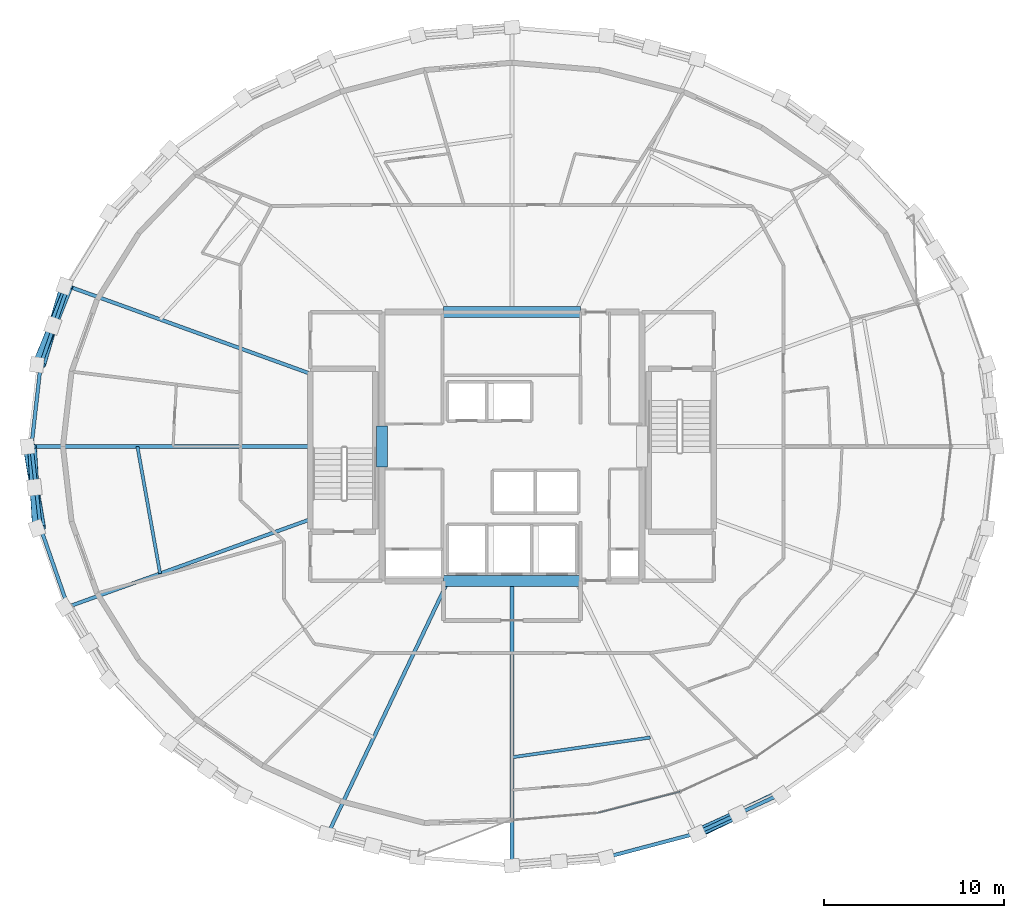
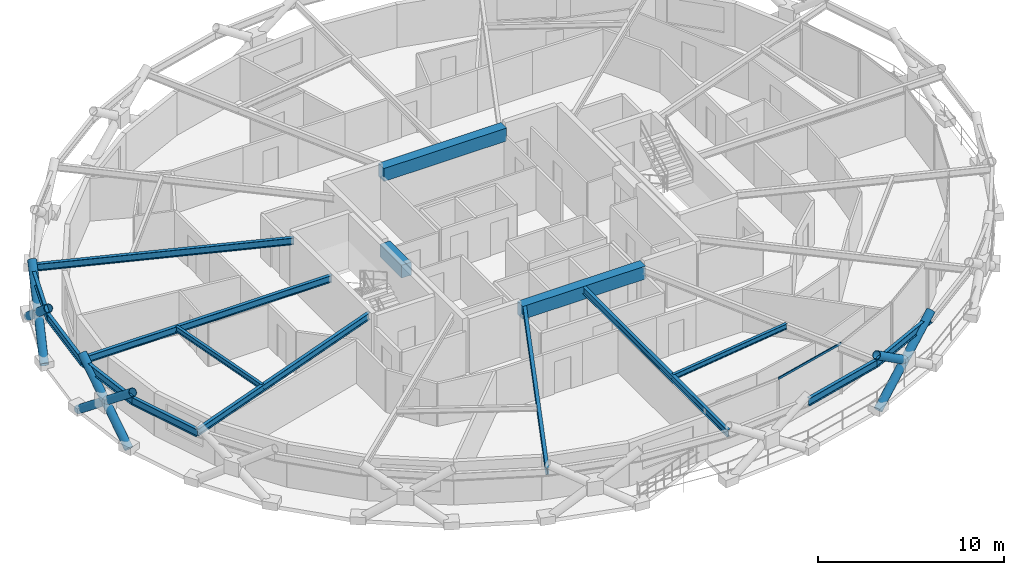
# One storey, part 3 of 16: 16 beams, 9 members, 1 element without a shape of its own.
"""IFC4 building model written with IfcOpenShell, lengths in metres."""

import ifcopenshell
import ifcopenshell.guid

model = None  # the IFC model being written
_history = None  # IfcOwnerHistory: only IFC2X3 demands one
_inside = {}  # id of a spatial element -> (the spatial element, [elements in it])
_under = {}  # id of a project, library or spatial element -> (it, [spatial elements below it])
_declared = {}  # id of a project -> (the project, [libraries it declares])
_typed = {}  # id of a type object -> (the type object, [elements of that type])
_made_of = {}  # id of a material, layer set ... -> (it, [elements and type objects made of it])


def new_model(schema):
    """Start an empty IFC model of exactly this schema.

    Asked for "IFC4X3", IfcOpenShell would pick the latest addendum, in which some entities
    have other attributes; the version numbers below select the first issue.
    IFC2X3 requires an IfcOwnerHistory on every rooted entity: one is made here for all.
    """
    global model, _history
    if schema == "IFC4X3":
        model = ifcopenshell.file(schema_version=(4, 3, 0, 0))
    else:
        model = ifcopenshell.file(schema=schema)
    _inside.clear()
    _under.clear()
    _declared.clear()
    _typed.clear()
    _made_of.clear()
    _history = None
    if model.schema == "IFC2X3":
        org = make("IfcOrganization", Name="unknown")
        user = make(
            "IfcPersonAndOrganization",
            ThePerson=make("IfcPerson", FamilyName="unknown"),
            TheOrganization=org,
        )
        app = make(
            "IfcApplication",
            ApplicationDeveloper=org,
            Version="unknown",
            ApplicationFullName="unknown",
            ApplicationIdentifier="unknown",
        )
        _history = make(
            "IfcOwnerHistory",
            OwningUser=user,
            OwningApplication=app,
            ChangeAction="ADDED",
            CreationDate=0,
        )
    return model


def make(cls, **values):
    """One entity of the class cls with the attributes given. An attribute that is None is left unset."""
    return model.create_entity(
        cls, **{name: value for name, value in values.items() if value is not None}
    )


def rooted(cls, **values):
    """An entity with a GlobalId (a new one), such as an element, a storey or a relation."""
    return make(cls, GlobalId=ifcopenshell.guid.new(), OwnerHistory=_history, **values)


def si_unit(unit_type, name, prefix=None):
    """IfcSIUnit, for example si_unit("LENGTHUNIT", "METRE", prefix="MILLI")."""
    return make("IfcSIUnit", UnitType=unit_type, Prefix=prefix, Name=name)


def assignment(units):
    """IfcUnitAssignment: the units of a project."""
    return None if units is None else make("IfcUnitAssignment", Units=units)


def point(xyz):
    """IfcCartesianPoint."""
    return None if xyz is None else make("IfcCartesianPoint", Coordinates=xyz)


def direction(xyz):
    """IfcDirection."""
    return None if xyz is None else make("IfcDirection", DirectionRatios=xyz)


def frame(location, z_axis=None, x_axis=None):
    """IfcAxis2Placement3D, a coordinate frame: its origin and axes. An axis left out is left unset."""
    return make(
        "IfcAxis2Placement3D",
        Location=point(location),
        Axis=direction(z_axis),
        RefDirection=direction(x_axis),
    )


def frame_2d(location, x_axis=None):
    """IfcAxis2Placement2D, a coordinate frame in the plane: its origin and x axis."""
    return make(
        "IfcAxis2Placement2D", Location=point(location), RefDirection=direction(x_axis)
    )


def origin():
    """The frame at (0, 0, 0) with its axes left unset."""
    return frame((0.0, 0.0, 0.0))


def origin_2d():
    """The frame at (0, 0) in the plane with its x axis left unset."""
    return frame_2d((0.0, 0.0))


def place(relative_to, where):
    """IfcLocalPlacement: puts the frame where relative to a parent placement (None: the world)."""
    return make(
        "IfcLocalPlacement", PlacementRelTo=relative_to, RelativePlacement=where
    )


def context(
    kind, dimensions, precision=None, world=None, true_north=None, identifier=None
):
    """IfcGeometricRepresentationContext, for example the 3D "Model" context."""
    return make(
        "IfcGeometricRepresentationContext",
        ContextIdentifier=identifier,
        ContextType=kind,
        CoordinateSpaceDimension=dimensions,
        Precision=precision,
        WorldCoordinateSystem=world,
        TrueNorth=true_north,
    )


def subcontext(parent, identifier, kind, view, scale=None):
    """IfcGeometricRepresentationSubContext, for example "Body" below "Model"."""
    return make(
        "IfcGeometricRepresentationSubContext",
        ContextIdentifier=identifier,
        ContextType=kind,
        ParentContext=parent,
        TargetScale=scale,
        TargetView=view,
    )


def project(units=None, contexts=None):
    """IfcProject with its units and contexts."""
    return rooted(
        "IfcProject",
        Name="project",
        RepresentationContexts=contexts,
        UnitsInContext=assignment(units),
    )


def spatial(cls, under=None, at=None, **own):
    """A site, building, storey or space (cls), placed at a placement, below another one or the project."""
    s = rooted(cls, ObjectPlacement=at, **own)
    if under is not None:
        _under.setdefault(under.id(), (under, []))[1].append(s)
    return s


def profile(cls, at=None, kind="AREA", **sizes):
    """A parametric profile (cls). Its sizes go by their IFC names, for example OverallWidth=200.0."""
    return make(cls, ProfileType=kind, Position=at, **sizes)


def rectangle(**sizes):
    """IfcRectangleProfileDef."""
    return profile("IfcRectangleProfileDef", **sizes)


def hollow_rectangle(**sizes):
    """IfcRectangleHollowProfileDef."""
    return profile("IfcRectangleHollowProfileDef", **sizes)


def hollow_circle(**sizes):
    """IfcCircleHollowProfileDef."""
    return profile("IfcCircleHollowProfileDef", **sizes)


def i_section(**sizes):
    """IfcIShapeProfileDef."""
    return profile("IfcIShapeProfileDef", **sizes)


def extrude(swept, where, along, depth):
    """IfcExtrudedAreaSolid: the profile swept, set in the frame where, extruded along a direction by depth."""
    return make(
        "IfcExtrudedAreaSolid",
        SweptArea=swept,
        Position=where,
        ExtrudedDirection=direction(along),
        Depth=depth,
    )


def shape(context_of_items, identifier, shape_type, items):
    """IfcShapeRepresentation: the items that make up one representation, for example the "Body"."""
    return make(
        "IfcShapeRepresentation",
        ContextOfItems=context_of_items,
        RepresentationIdentifier=identifier,
        RepresentationType=shape_type,
        Items=items,
    )


def material(Name=None, Category=None):
    """IfcMaterial."""
    return make("IfcMaterial", Name=Name, Category=Category)


def layer(
    of_material, thickness, ventilated=None, Name=None, Category=None, Priority=None
):
    """IfcMaterialLayer: one layer of a wall or slab, of a material (None: an air gap)."""
    return make(
        "IfcMaterialLayer",
        Material=of_material,
        LayerThickness=thickness,
        IsVentilated=ventilated,
        Name=Name,
        Category=Category,
        Priority=Priority,
    )


def layer_set(layers, Name=None):
    """IfcMaterialLayerSet."""
    return make("IfcMaterialLayerSet", MaterialLayers=layers, LayerSetName=Name)


def material_profile(
    of_material, cross_section, Name=None, Category=None, Priority=None
):
    """IfcMaterialProfile: a cross section and its material."""
    return make(
        "IfcMaterialProfile",
        Name=Name,
        Material=of_material,
        Profile=cross_section,
        Priority=Priority,
        Category=Category,
    )


def profile_set(profiles, Name=None, composite=None):
    """IfcMaterialProfileSet."""
    return make(
        "IfcMaterialProfileSet",
        Name=Name,
        MaterialProfiles=profiles,
        CompositeProfile=composite,
    )


def made_of(thing, what):
    """Note that an element or type object is made of a material, layer set ...; save() writes the relation."""
    if what is not None:
        _made_of.setdefault(what.id(), (what, []))[1].append(thing)
    return thing


def type_object(cls, material=None, **own):
    """A type object (cls), such as IfcWallType, which elements share."""
    return made_of(rooted(cls, **own), material)


def element(
    cls,
    number,
    at=None,
    inside=None,
    cuts=None,
    type_object=None,
    material=None,
    context=None,
    identifier="Body",
    shape_type=None,
    held_by="IfcProductDefinitionShape",
    body=None,
    shapes=None,
    **own,
):
    """One element of the class cls, such as IfcWall. Its Tag is "e" and its number.

    at: its placement. inside: the storey or other place that contains it. cuts: it is an
    opening in that element (IfcRelVoidsElement). A single representation is given by context,
    identifier, shape_type and body (its items); several are given by shapes. held_by: the class
    of the entity that holds the representations. save() writes the other relations.
    """
    e = rooted(cls, Tag="e%d" % number, ObjectPlacement=at, **own)
    if body is not None:
        shapes = [shape(context, identifier, shape_type, body)]
    if shapes is not None:
        e.Representation = make(held_by, Representations=shapes)
    if inside is not None:
        _inside.setdefault(inside.id(), (inside, []))[1].append(e)
    if cuts is not None:
        rooted(
            "IfcRelVoidsElement", RelatingBuildingElement=cuts, RelatedOpeningElement=e
        )
    if type_object is not None:
        _typed.setdefault(type_object.id(), (type_object, []))[1].append(e)
    return made_of(e, material)


def aggregate(whole, parts):
    """IfcRelAggregates: a whole, such as a stair, and the parts it consists of."""
    return rooted("IfcRelAggregates", RelatingObject=whole, RelatedObjects=parts)


def save(model, path):
    """Write the relations noted so far, then the file.

    IfcRelAggregates (storeys below a building ...), IfcRelContainedInSpatialStructure (elements
    in a storey), IfcRelDefinesByType, IfcRelAssociatesMaterial and IfcRelDeclares: one each for
    every whole, place, type object, material and project.
    """
    for whole, parts in _under.values():
        aggregate(whole, parts)
    for where, things in _inside.values():
        rooted(
            "IfcRelContainedInSpatialStructure",
            RelatedElements=things,
            RelatingStructure=where,
        )
    for kind, things in _typed.values():
        rooted("IfcRelDefinesByType", RelatedObjects=things, RelatingType=kind)
    for what, things in _made_of.values():
        rooted("IfcRelAssociatesMaterial", RelatedObjects=things, RelatingMaterial=what)
    for by, libraries in _declared.values():
        rooted("IfcRelDeclares", RelatingContext=by, RelatedDefinitions=libraries)
    model.write(path)


model = new_model("IFC4")

# Units and contexts
model_context = context("Model", 3, precision=1e-05, world=origin(), true_north=direction((0.0, 1.0)))
body_context = subcontext(model_context, "Body", "Model", "MODEL_VIEW")
ifc_project = project(units=[si_unit("LENGTHUNIT", "METRE"), si_unit("AREAUNIT", "SQUARE_METRE"), si_unit("VOLUMEUNIT", "CUBIC_METRE"), si_unit("PLANEANGLEUNIT", "RADIAN"), si_unit("MASSUNIT", "GRAM", prefix="KILO")], contexts=[model_context])

# Site, building, storey
site_placement = place(None, origin())
site = spatial("IfcSite", under=ifc_project, at=site_placement, CompositionType="ELEMENT")
building_placement = place(site_placement, origin())
building = spatial("IfcBuilding", under=site, at=building_placement, Name="Veldorina Hangang Commons", CompositionType="ELEMENT")
storey_placement = place(building_placement, frame((0.0, 0.0, 192.800048828125)))
storey = spatial("IfcBuildingStorey", under=building, at=storey_placement, Name="L50", CompositionType="ELEMENT", Elevation=192.800048828125)

# Beams
ifc_material_1 = material(Name="Concrete C60/75", Category="concrete")
ifc_material_profile_1 = material_profile(ifc_material_1, rectangle(XDim=0.60009765625, YDim=0.85009765625, at=origin_2d()), Name="RC-CB-600x850")
ifc_profile_set_1 = profile_set([ifc_material_profile_1], Name="Concrete C60/75")
beam_type_1 = type_object("IfcBeamType", Name="BM-CB850", PredefinedType="LINTEL", material=ifc_profile_set_1)
beam_1_placement = place(storey_placement, frame((24.800048828125, 22.85009765625, 2.925048828125), z_axis=(0.0, 1.0, 0.0), x_axis=(-1.0, 0.0, 0.0)))
element("IfcBeam", 1, at=beam_1_placement, inside=storey, type_object=beam_type_1, Name="L50 W core coupling lintel beam", PredefinedType="LINTEL", context=body_context, shape_type="SweptSolid", body=[
    extrude(rectangle(XDim=0.60009765625, YDim=0.85009765625, at=origin_2d()), origin(), (0.0, 0.0, 1.0), 2.2998046875),
])
for number, where, z_axis, x_axis, name in (
    (2, (28.199951171875, 16.550048828125, 2.925048828125), (1.0, 0.0, 0.0), (0.0, 1.0, 0.0), "L50 south core coupling beam"),
    (3, (28.199951171875, 31.449951171875, 2.925048828125), (1.0, 0.0, 0.0), (0.0, 1.0, 0.0), "L50 north core coupling beam"),
):
    element("IfcBeam", number, at=place(storey_placement, frame(where, z_axis=z_axis, x_axis=x_axis)), inside=storey, type_object=beam_type_1, Name=name, PredefinedType="LINTEL", context=body_context, shape_type="SweptSolid", body=[
        extrude(rectangle(XDim=0.60009765625, YDim=0.85009765625, at=origin_2d()), origin(), (0.0, 0.0, 1.0), 7.60009765625),
    ])
ifc_material_2 = material(Name="Steel SM355-TMC", Category="steel")
ifc_material_profile_2 = material_profile(ifc_material_2, i_section(OverallWidth=0.199951171875, OverallDepth=0.449951171875, WebThickness=0.009033203125, FlangeThickness=0.013916015625, FilletRadius=0.01611328125, at=origin_2d()), Name="H-450x200x9x14")
ifc_profile_set_2 = profile_set([ifc_material_profile_2], Name="Steel SM355-TMC")
beam_type_2 = type_object("IfcBeamType", Name="BM-FG450", PredefinedType="BEAM", material=ifc_profile_set_2)
beam_2_placement = place(storey_placement, frame((20.820068359375, 28.037109375, 3.125), z_axis=(-0.940560874687, 0.339625147785, 0.0), x_axis=(-0.339625147785, -0.940560874687, 0.0)))
element("IfcBeam", 4, at=beam_2_placement, inside=storey, type_object=beam_type_2, Name="L50 radial floor girder 08", PredefinedType="BEAM", context=body_context, shape_type="SweptSolid", body=[
    extrude(i_section(OverallWidth=0.199951171875, OverallDepth=0.449951171875, WebThickness=0.009033203125, FlangeThickness=0.013916015625, FilletRadius=0.01611328125, at=origin_2d()), origin(), (0.0, 0.0, 1.0), 14.287109375),
])
beam_3_placement = place(storey_placement, frame((20.820068359375, 24.0, 3.125), z_axis=(-1.0, 0.0, 0.0), x_axis=(0.0, -1.0, 0.0)))
element("IfcBeam", 5, at=beam_3_placement, inside=storey, type_object=beam_type_2, Name="L50 radial floor girder 09", PredefinedType="BEAM", context=body_context, shape_type="SweptSolid", body=[
    extrude(i_section(OverallWidth=0.199951171875, OverallDepth=0.449951171875, WebThickness=0.009033203125, FlangeThickness=0.013916015625, FilletRadius=0.01611328125, at=origin_2d()), origin(), (0.0, 0.0, 1.0), 15.466552734375),
])
beam_4_placement = place(storey_placement, frame((20.820068359375, 19.962890625, 3.125), z_axis=(-0.940560874687, -0.339625147785, 0.0), x_axis=(0.339625147785, -0.940560874687, 0.0)))
element("IfcBeam", 6, at=beam_4_placement, inside=storey, type_object=beam_type_2, Name="L50 radial floor girder 10", PredefinedType="BEAM", context=body_context, shape_type="SweptSolid", body=[
    extrude(i_section(OverallWidth=0.199951171875, OverallDepth=0.449951171875, WebThickness=0.009033203125, FlangeThickness=0.013916015625, FilletRadius=0.01611328125, at=origin_2d()), origin(), (0.0, 0.0, 1.0), 14.287109375),
])
beam_5_placement = place(storey_placement, frame((28.460205078125, 16.550048828125, 3.125), z_axis=(-0.42916853265, -0.903224429798, 0.0), x_axis=(0.903224429798, -0.42916853265, 0.0)))
element("IfcBeam", 7, at=beam_5_placement, inside=storey, type_object=beam_type_2, Name="L50 radial floor girder 12", PredefinedType="BEAM", context=body_context, shape_type="SweptSolid", body=[
    extrude(i_section(OverallWidth=0.199951171875, OverallDepth=0.449951171875, WebThickness=0.009033203125, FlangeThickness=0.013916015625, FilletRadius=0.01611328125, at=origin_2d()), origin(), (0.0, 0.0, 1.0), 15.511962890625),
])
beam_6_placement = place(storey_placement, frame((32.0, 16.550048828125, 3.125), z_axis=(0.0, -1.0, 0.0), x_axis=(1.0, 0.0, 0.0)))
element("IfcBeam", 8, at=beam_6_placement, inside=storey, type_object=beam_type_2, Name="L50 radial floor girder 13", PredefinedType="BEAM", context=body_context, shape_type="SweptSolid", body=[
    extrude(i_section(OverallWidth=0.199951171875, OverallDepth=0.449951171875, WebThickness=0.009033203125, FlangeThickness=0.013916015625, FilletRadius=0.01611328125, at=origin_2d()), origin(), (0.0, 0.0, 1.0), 15.779052734375),
])
ifc_material_profile_3 = material_profile(ifc_material_2, i_section(OverallWidth=0.175048828125, OverallDepth=0.35009765625, WebThickness=0.007080078125, FlangeThickness=0.010986328125, FilletRadius=0.012939453125, at=origin_2d()), Name="H-350x175x7x11")
ifc_profile_set_3 = profile_set([ifc_material_profile_3], Name="Steel SM355-TMC")
beam_type_3 = type_object("IfcBeamType", Name="BM-JST350", PredefinedType="JOIST", material=ifc_profile_set_3)
beam_7_placement = place(storey_placement, frame((11.230712890625, 24.0, 3.175048828125), z_axis=(0.175717435735, -0.984440644619, 0.0), x_axis=(0.984440644619, 0.175717435735, 0.0)))
element("IfcBeam", 9, at=beam_7_placement, inside=storey, type_object=beam_type_3, Name="L50 secondary floor joist 09", PredefinedType="JOIST", context=body_context, shape_type="SweptSolid", body=[
    extrude(i_section(OverallWidth=0.175048828125, OverallDepth=0.35009765625, WebThickness=0.007080078125, FlangeThickness=0.010986328125, FilletRadius=0.012939453125, at=origin_2d()), origin(), (0.0, 0.0, 1.0), 7.15673828125),
])
beam_8_placement = place(storey_placement, frame((32.0, 6.76708984375, 3.175048828125), z_axis=(0.989934358132, 0.141527264472, 0.0), x_axis=(-0.141527264472, 0.989934358132, 0.0)))
element("IfcBeam", 10, at=beam_8_placement, inside=storey, type_object=beam_type_3, Name="L50 secondary floor joist 13", PredefinedType="JOIST", context=body_context, shape_type="SweptSolid", body=[
    extrude(i_section(OverallWidth=0.175048828125, OverallDepth=0.35009765625, WebThickness=0.007080078125, FlangeThickness=0.010986328125, FilletRadius=0.012939453125, at=origin_2d()), origin(), (0.0, 0.0, 1.0), 7.745361328125),
])
ifc_material_3 = material(Name="Steel SM420-TMC", Category="steel")
ifc_material_profile_4 = material_profile(ifc_material_3, i_section(OverallWidth=0.199951171875, OverallDepth=0.5, WebThickness=0.010009765625, FlangeThickness=0.01611328125, FilletRadius=0.01611328125, at=origin_2d()), Name="H-500x200x10x16")
ifc_profile_set_4 = profile_set([ifc_material_profile_4], Name="Steel SM420-TMC")
beam_type_4 = type_object("IfcBeamType", Name="BM-RB500", PredefinedType="BEAM", material=ifc_profile_set_4)
beam_9_placement = place(storey_placement, frame((7.382080078125, 32.889404296875, 3.099853515625), z_axis=(-0.328693009223, -0.94443681932, 0.0), x_axis=(0.94443681932, -0.328693009223, 0.0)))
element("IfcBeam", 11, at=beam_9_placement, inside=storey, type_object=beam_type_4, Name="L50 perimeter hoop ring beam 14", PredefinedType="BEAM", context=body_context, shape_type="SweptSolid", body=[
    extrude(i_section(OverallWidth=0.199951171875, OverallDepth=0.5, WebThickness=0.010009765625, FlangeThickness=0.01611328125, FilletRadius=0.01611328125, at=origin_2d()), origin(), (0.0, 0.0, 1.0), 4.614013671875),
])
for number, where, z_axis, x_axis, name in (
    (12, (5.865478515625, 28.53173828125, 3.099853515625), (-0.112258641722, -0.993679021293, 0.0), (0.993679021293, -0.112258641722, 0.0), "L50 perimeter hoop ring beam 15"),
    (13, (5.353515625, 24.0, 3.099853515625), (0.112258641722, -0.993679021293, 0.0), (0.993679021293, 0.112258641722, 0.0), "L50 perimeter hoop ring beam 16"),
):
    element("IfcBeam", number, at=place(storey_placement, frame(where, z_axis=z_axis, x_axis=x_axis)), inside=storey, type_object=beam_type_4, Name=name, PredefinedType="BEAM", context=body_context, shape_type="SweptSolid", body=[
        extrude(i_section(OverallWidth=0.199951171875, OverallDepth=0.5, WebThickness=0.010009765625, FlangeThickness=0.01611328125, FilletRadius=0.01611328125, at=origin_2d()), origin(), (0.0, 0.0, 1.0), 4.560546875),
    ])
beam_10_placement = place(storey_placement, frame((5.865478515625, 19.46826171875, 3.099853515625), z_axis=(0.328693009223, -0.94443681932, 0.0), x_axis=(0.94443681932, 0.328693009223, 0.0)))
element("IfcBeam", 14, at=beam_10_placement, inside=storey, type_object=beam_type_4, Name="L50 perimeter hoop ring beam 17", PredefinedType="BEAM", context=body_context, shape_type="SweptSolid", body=[
    extrude(i_section(OverallWidth=0.199951171875, OverallDepth=0.5, WebThickness=0.010009765625, FlangeThickness=0.01611328125, FilletRadius=0.01611328125, at=origin_2d()), origin(), (0.0, 0.0, 1.0), 4.614013671875),
])
beam_11_placement = place(storey_placement, frame((37.198486328125, 1.21728515625, 3.099853515625), z_axis=(0.966758800249, 0.255690090034, 0.0), x_axis=(-0.255690090034, 0.966758800249, 0.0)))
element("IfcBeam", 15, at=beam_11_placement, inside=storey, type_object=beam_type_4, Name="L50 perimeter hoop ring beam 25", PredefinedType="BEAM", context=body_context, shape_type="SweptSolid", body=[
    extrude(i_section(OverallWidth=0.199951171875, OverallDepth=0.5, WebThickness=0.010009765625, FlangeThickness=0.01611328125, FilletRadius=0.01611328125, at=origin_2d()), origin(), (0.0, 0.0, 1.0), 5.17041015625),
])
beam_12_placement = place(storey_placement, frame((42.197021484375, 2.539306640625, 3.099853515625), z_axis=(0.906440683499, 0.422333147288, 0.0), x_axis=(-0.422333147288, 0.906440683499, 0.0)))
element("IfcBeam", 16, at=beam_12_placement, inside=storey, type_object=beam_type_4, Name="L50 perimeter hoop ring beam 26", PredefinedType="BEAM", context=body_context, shape_type="SweptSolid", body=[
    extrude(i_section(OverallWidth=0.199951171875, OverallDepth=0.5, WebThickness=0.010009765625, FlangeThickness=0.01611328125, FilletRadius=0.01611328125, at=origin_2d()), origin(), (0.0, 0.0, 1.0), 5.08251953125),
])

# Curtain wall, member
ifc_material_4 = material(Name="Glass Low-E Triple IGU", Category="glass")
ifc_layer = layer(ifc_material_4, 0.179931640625)
ifc_layer_set = layer_set([ifc_layer], Name="Glass Low-E Triple IGU")
curtain_wall_type = type_object("IfcCurtainWallType", Name="CW-SYS-Z2", PredefinedType="NOTDEFINED", material=ifc_layer_set)
curtain_wall_placement = place(storey_placement, origin())
curtain_wall = element("IfcCurtainWall", 17, at=curtain_wall_placement, inside=storey, type_object=curtain_wall_type, Name="L50 unitised curtain wall CW-L50-R1", PredefinedType="NOTDEFINED")
ifc_material_5 = material(Name="Aluminium Anodized AA6063-T6", Category="aluminium")
ifc_material_profile_5 = material_profile(ifc_material_5, hollow_rectangle(XDim=0.06005859375, YDim=0.139892578125, WallThickness=0.00341796875, at=origin_2d()), Name="ALU-RHS-140x60x3.5")
ifc_profile_set_5 = profile_set([ifc_material_profile_5], Name="Aluminium Anodized AA6063-T6")
member_type_1 = type_object("IfcMemberType", Name="CW-TRN-140", PredefinedType="USERDEFINED", material=ifc_profile_set_5)
member_1_placement = place(storey_placement, frame((36.74853515625, 3.6787109375, 3.27001953125), z_axis=(0.968231243218, 0.250056512926, 0.0), x_axis=(-0.250056512926, 0.968231243218, 0.0)))
member_1 = element("IfcMember", 18, at=member_1_placement, type_object=member_type_1, Name="CW-L50-R1 facet 2 transom 1", ObjectType="TRANSOM", PredefinedType="USERDEFINED", context=body_context, shape_type="SweptSolid", body=[
    extrude(hollow_rectangle(XDim=0.06005859375, YDim=0.139892578125, WallThickness=0.00341796875, at=origin_2d()), origin(), (0.0, 0.0, 1.0), 4.7158203125),
])
aggregate(curtain_wall, [member_1])

# Members
ifc_material_profile_6 = material_profile(ifc_material_3, hollow_circle(Radius=0.25, WallThickness=0.02490234375, at=origin_2d()), Name="CHS-500x25")
ifc_profile_set_6 = profile_set([ifc_material_profile_6], Name="Steel SM420-TMC")
member_type_2 = type_object("IfcMemberType", Name="DG-CHS500", PredefinedType="BRACE", material=ifc_profile_set_6)
member_2_placement = place(storey_placement, frame((7.1845703125, 32.893310546875, 0.0), z_axis=(-0.221591791445, -0.752081866632, 0.620701171134), x_axis=(0.95923031103, -0.282625565726, 0.0)))
element("IfcMember", 19, at=member_2_placement, inside=storey, type_object=member_type_2, Name="L50 continuous perimeter diagrid brace 14", PredefinedType="BRACE", context=body_context, shape_type="SweptSolid", body=[
    extrude(hollow_circle(Radius=0.25, WallThickness=0.02490234375, at=origin_2d()), origin(), (0.0, 0.0, 1.0), 5.799560546875),
])
member_3_placement = place(storey_placement, frame((5.656005859375, 28.53369140625, 0.0), z_axis=(0.299045268483, 0.735204482785, 0.608314306828), x_axis=(-0.92630461859, 0.376775468389, 0.0)))
element("IfcMember", 20, at=member_3_placement, inside=storey, type_object=member_type_2, Name="L50 split perimeter diagrid lower brace 15", PredefinedType="BRACE", context=body_context, shape_type="SweptSolid", body=[
    extrude(hollow_circle(Radius=0.25, WallThickness=0.02490234375, at=origin_2d()), origin(), (0.0, 0.0, 1.0), 2.961181640625),
])
member_4_placement = place(storey_placement, frame((6.54150390625, 30.710693359375, 1.80126953125), z_axis=(0.295074433507, 0.736736361969, 0.608400042442), x_axis=(-0.92831153987, 0.371803287967, 0.0)))
element("IfcMember", 21, at=member_4_placement, inside=storey, type_object=member_type_2, Name="L50 split perimeter diagrid upper brace 15", PredefinedType="BRACE", context=body_context, shape_type="SweptSolid", body=[
    extrude(hollow_circle(Radius=0.25, WallThickness=0.02490234375, at=origin_2d()), origin(), (0.0, 0.0, 1.0), 2.956298828125),
])
member_5_placement = place(storey_placement, frame((5.139892578125, 24.0, 0.0), z_axis=(0.130122487231, -0.776343132593, 0.616732907175), x_axis=(0.986242719791, 0.165303652889, 0.0)))
element("IfcMember", 22, at=member_5_placement, inside=storey, type_object=member_type_2, Name="L50 continuous perimeter diagrid brace 16", PredefinedType="BRACE", context=body_context, shape_type="SweptSolid", body=[
    extrude(hollow_circle(Radius=0.25, WallThickness=0.02490234375, at=origin_2d()), origin(), (0.0, 0.0, 1.0), 5.8369140625),
])
member_6_placement = place(storey_placement, frame((5.656005859375, 19.46630859375, 0.0), z_axis=(-0.047000351652, 0.782244203936, 0.621196404009), x_axis=(-0.998199829784, -0.059975826964, 0.0)))
element("IfcMember", 23, at=member_6_placement, inside=storey, type_object=member_type_2, Name="L50 split perimeter diagrid lower brace 17", PredefinedType="BRACE", context=body_context, shape_type="SweptSolid", body=[
    extrude(hollow_circle(Radius=0.25, WallThickness=0.02490234375, at=origin_2d()), origin(), (0.0, 0.0, 1.0), 2.8984375),
])
member_7_placement = place(storey_placement, frame((5.519775390625, 21.733642578125, 1.800537109375), z_axis=(-0.045427198604, 0.782376038303, 0.62114740949), x_axis=(-0.998318586943, -0.057965498046, 0.0)))
element("IfcMember", 24, at=member_7_placement, inside=storey, type_object=member_type_2, Name="L50 split perimeter diagrid upper brace 17", PredefinedType="BRACE", context=body_context, shape_type="SweptSolid", body=[
    extrude(hollow_circle(Radius=0.25, WallThickness=0.02490234375, at=origin_2d()), origin(), (0.0, 0.0, 1.0), 2.896728515625),
])
member_8_placement = place(storey_placement, frame((42.27880859375, 2.529541015625, 0.0), z_axis=(0.7317605931, 0.350398229497, 0.584591750841), x_axis=(-0.431882542573, 0.901929858371, 0.0)))
element("IfcMember", 25, at=member_8_placement, inside=storey, type_object=member_type_2, Name="L50 continuous perimeter diagrid brace 26", PredefinedType="BRACE", context=body_context, shape_type="SweptSolid", body=[
    extrude(hollow_circle(Radius=0.25, WallThickness=0.02490234375, at=origin_2d()), origin(), (0.0, 0.0, 1.0), 6.157958984375),
])
member_9_placement = place(storey_placement, frame((44.54052734375, 3.612548828125, 1.806884765625), z_axis=(-0.748346639533, -0.340333756091, 0.569341937297), x_axis=(0.413980557814, -0.91028572314, 0.0)))
element("IfcMember", 26, at=member_9_placement, inside=storey, type_object=member_type_2, Name="L50 split perimeter diagrid upper brace 27", PredefinedType="BRACE", context=body_context, shape_type="SweptSolid", body=[
    extrude(hollow_circle(Radius=0.25, WallThickness=0.02490234375, at=origin_2d()), origin(), (0.0, 0.0, 1.0), 3.149169921875),
])

save(model, "model.ifc")
